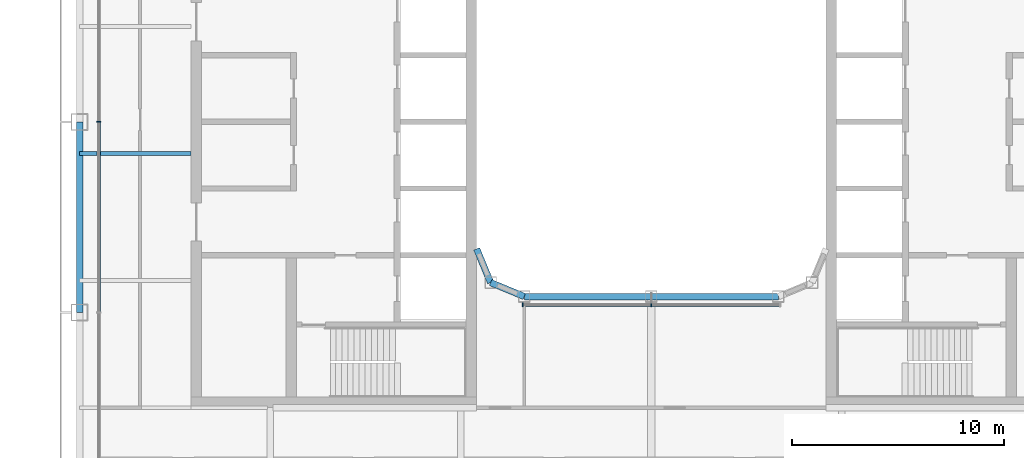
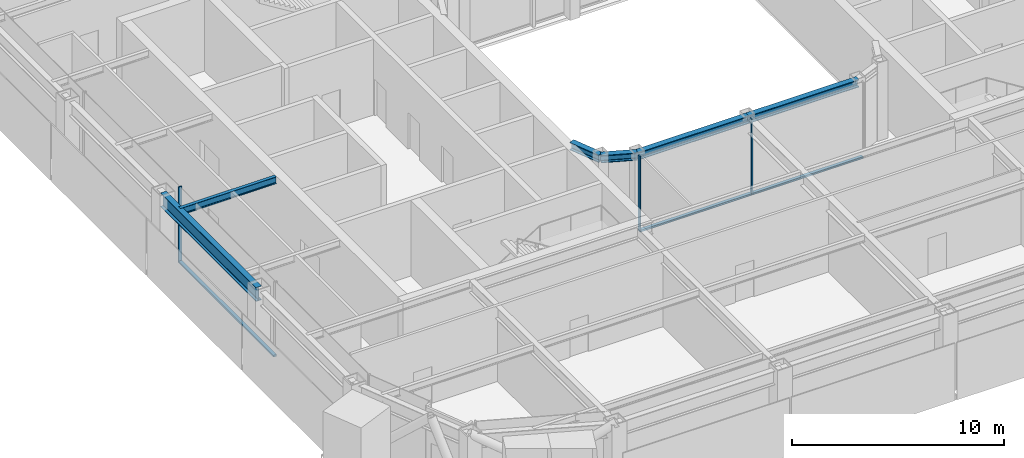
# One storey, part 3 of 23: 6 beams, 6 members, 2 elements without a shape of their own.
"""IFC4 building model written with IfcOpenShell, lengths in metres."""

from ifc_helpers import new_model, si_unit, direction, frame, origin, origin_2d, place, context, subcontext, project, spatial, rectangle, i_section, extrude, material, layer, layer_set, material_profile, profile_set, type_object, element, aggregate, save


model = new_model("IFC4")

# Units and contexts
model_context = context("Model", 3, precision=1e-05, world=origin(), true_north=direction((0.0, 1.0)))
body_context = subcontext(model_context, "Body", "Model", "MODEL_VIEW")
ifc_project = project(units=[si_unit("LENGTHUNIT", "METRE"), si_unit("AREAUNIT", "SQUARE_METRE"), si_unit("VOLUMEUNIT", "CUBIC_METRE"), si_unit("PLANEANGLEUNIT", "RADIAN"), si_unit("MASSUNIT", "GRAM", prefix="KILO")], contexts=[model_context])

# Site, building, storey
site_placement = place(None, origin())
site = spatial("IfcSite", under=ifc_project, at=site_placement, CompositionType="ELEMENT")
building_placement = place(site_placement, origin())
building = spatial("IfcBuilding", under=site, at=building_placement, Name="Siwar Civic Tower", CompositionType="ELEMENT")
storey_placement = place(building_placement, frame((0.0, 0.0, 251.199951171875)))
storey = spatial("IfcBuildingStorey", under=building, at=storey_placement, Name="L54", CompositionType="ELEMENT", Elevation=251.199951171875)

# Curtain wall, member
ifc_material_1 = material(Name="Aluminium and glass", Category="aluminium")
ifc_layer_1 = layer(ifc_material_1, 0.179931640625)
ifc_layer_set_1 = layer_set([ifc_layer_1], Name="Aluminium and glass")
curtain_wall_type_1 = type_object("IfcCurtainWallType", Name="ENV-CW-C", PredefinedType="NOTDEFINED", material=ifc_layer_set_1)
curtain_wall_1_placement = place(storey_placement, origin())
curtain_wall_1 = element("IfcCurtainWall", 1, at=curtain_wall_1_placement, inside=storey, type_object=curtain_wall_type_1, Name="Curtain wall C W", PredefinedType="NOTDEFINED")
ifc_material_2 = material(Name="Aluminium 6063-T6", Category="aluminium")
ifc_material_profile_1 = material_profile(ifc_material_2, rectangle(XDim=0.179931640625, YDim=0.06005859375, at=origin_2d()), Name="AL 180x60")
ifc_profile_set_1 = profile_set([ifc_material_profile_1], Name="Aluminium 6063-T6")
member_type_1 = type_object("IfcMemberType", Name="ENV-MULLION-C", PredefinedType="MULLION", material=ifc_profile_set_1)
member_1_placement = place(storey_placement, frame((-26.10009765625, 0.0, 0.0), z_axis=(0.0, 0.0, 1.0), x_axis=(1.0, 0.0, 0.0)))
member_1 = element("IfcMember", 2, at=member_1_placement, type_object=member_type_1, Name="Mullion C W 3", PredefinedType="MULLION", context=body_context, shape_type="SweptSolid", body=[
    extrude(rectangle(XDim=0.179931640625, YDim=0.06005859375, at=origin_2d()), origin(), (0.0, 0.0, 1.0), 4.35009765625),
])

# Curtain wall, members
ifc_material_3 = material(Name="Aluminium and glass", Category="aluminium")
ifc_layer_2 = layer(ifc_material_3, 0.179931640625)
ifc_layer_set_2 = layer_set([ifc_layer_2], Name="Aluminium and glass")
curtain_wall_type_2 = type_object("IfcCurtainWallType", Name="ENV-CW-W", PredefinedType="NOTDEFINED", material=ifc_layer_set_2)
curtain_wall_2_placement = place(storey_placement, origin())
curtain_wall_2 = element("IfcCurtainWall", 3, at=curtain_wall_2_placement, inside=storey, type_object=curtain_wall_type_2, Name="Curtain wall W WS", PredefinedType="NOTDEFINED")
ifc_material_4 = material(Name="Aluminium 6063-T6", Category="aluminium")
ifc_material_profile_2 = material_profile(ifc_material_4, rectangle(XDim=0.179931640625, YDim=0.06005859375, at=origin_2d()), Name="AL 180x60")
ifc_profile_set_2 = profile_set([ifc_material_profile_2], Name="Aluminium 6063-T6")
member_type_2 = type_object("IfcMemberType", Name="ENV-MULLION-W", PredefinedType="MULLION", material=ifc_profile_set_2)
member_2_placement = place(storey_placement, frame((-6.07666015625, -8.635009765625, 0.0), z_axis=(0.0, 0.0, 1.0), x_axis=(0.0, 1.0, 0.0)))
member_2 = element("IfcMember", 4, at=member_2_placement, type_object=member_type_2, Name="Mullion W WS 1", PredefinedType="MULLION", context=body_context, shape_type="SweptSolid", body=[
    extrude(rectangle(XDim=0.179931640625, YDim=0.06005859375, at=origin_2d()), origin(), (0.0, 0.0, 1.0), 4.35009765625),
])
member_3_placement = place(storey_placement, frame((0.0, -8.635009765625, 0.0), z_axis=(0.0, 0.0, 1.0), x_axis=(0.0, 1.0, 0.0)))
member_3 = element("IfcMember", 5, at=member_3_placement, type_object=member_type_2, Name="Mullion W WS 2", PredefinedType="MULLION", context=body_context, shape_type="SweptSolid", body=[
    extrude(rectangle(XDim=0.179931640625, YDim=0.06005859375, at=origin_2d()), origin(), (0.0, 0.0, 1.0), 4.35009765625),
])

# Member
ifc_material_5 = material(Name="Aluminium 6063-T6", Category="aluminium")
ifc_material_profile_3 = material_profile(ifc_material_5, rectangle(XDim=0.179931640625, YDim=0.10009765625, at=origin_2d()), Name="AL 180x100")
ifc_profile_set_3 = profile_set([ifc_material_profile_3], Name="Aluminium 6063-T6")
member_type_3 = type_object("IfcMemberType", Name="ENV-TRANSOM-C", PredefinedType="USERDEFINED", material=ifc_profile_set_3)
member_4_placement = place(storey_placement, frame((-26.10009765625, -0.030029296875, 0.050048828125), z_axis=(0.0, -1.0, 0.0), x_axis=(1.0, 0.0, 0.0)))
member_4 = element("IfcMember", 6, at=member_4_placement, type_object=member_type_3, Name="Transom C W 3", ObjectType="TRANSOM", PredefinedType="USERDEFINED", context=body_context, shape_type="SweptSolid", body=[
    extrude(rectangle(XDim=0.179931640625, YDim=0.10009765625, at=origin_2d()), origin(), (0.0, 0.0, 1.0), 8.93994140625),
])

aggregate(curtain_wall_1, [member_1, member_4])

ifc_material_6 = material(Name="Aluminium 6063-T6", Category="aluminium")
ifc_material_profile_4 = material_profile(ifc_material_6, rectangle(XDim=0.179931640625, YDim=0.10009765625, at=origin_2d()), Name="AL 180x100")
ifc_profile_set_4 = profile_set([ifc_material_profile_4], Name="Aluminium 6063-T6")
member_type_4 = type_object("IfcMemberType", Name="ENV-TRANSOM-W", PredefinedType="USERDEFINED", material=ifc_profile_set_4)
member_5_placement = place(storey_placement, frame((-6.046630859375, -8.635009765625, 0.050048828125), z_axis=(1.0, 0.0, 0.0), x_axis=(0.0, 1.0, 0.0)))
member_5 = element("IfcMember", 7, at=member_5_placement, type_object=member_type_4, Name="Transom W WS 1", ObjectType="TRANSOM", PredefinedType="USERDEFINED", context=body_context, shape_type="SweptSolid", body=[
    extrude(rectangle(XDim=0.179931640625, YDim=0.10009765625, at=origin_2d()), origin(), (0.0, 0.0, 1.0), 6.0166015625),
])

member_6_placement = place(storey_placement, frame((0.030029296875, -8.635009765625, 0.050048828125), z_axis=(1.0, 0.0, 0.0), x_axis=(0.0, 1.0, 0.0)))
member_6 = element("IfcMember", 8, at=member_6_placement, type_object=member_type_4, Name="Transom W WS 2", ObjectType="TRANSOM", PredefinedType="USERDEFINED", context=body_context, shape_type="SweptSolid", body=[
    extrude(rectangle(XDim=0.179931640625, YDim=0.10009765625, at=origin_2d()), origin(), (0.0, 0.0, 1.0), 6.0166015625),
])

aggregate(curtain_wall_2, [member_2, member_3, member_5, member_6])

# Beams
ifc_material_7 = material(Name="Steel S355", Category="steel")
ifc_material_profile_5 = material_profile(ifc_material_7, i_section(OverallWidth=0.179931640625, OverallDepth=0.39990234375, WebThickness=0.008544921875, FlangeThickness=0.013427734375, FilletRadius=0.02099609375, at=origin_2d()), Name="IPE400")
ifc_profile_set_5 = profile_set([ifc_material_profile_5], Name="Steel S355")
beam_type_1 = type_object("IfcBeamType", Name="STR-FB-IPE400", PredefinedType="JOIST", material=ifc_profile_set_5)
beam_1_placement = place(storey_placement, frame((-27.0, -1.5, 4.150146484375), z_axis=(1.0, 0.0, 0.0), x_axis=(0.0, 1.0, 0.0)))
element("IfcBeam", 9, at=beam_1_placement, inside=storey, type_object=beam_type_1, Name="L54/bm/F023", PredefinedType="JOIST", context=body_context, shape_type="SweptSolid", body=[
    extrude(i_section(OverallWidth=0.179931640625, OverallDepth=0.39990234375, WebThickness=0.008544921875, FlangeThickness=0.013427734375, FilletRadius=0.02099609375, at=origin_2d()), origin(), (0.0, 0.0, 1.0), 5.25),
])
ifc_material_8 = material(Name="Steel S355", Category="steel")
ifc_material_profile_6 = material_profile(ifc_material_8, i_section(OverallWidth=0.306884765625, OverallDepth=0.431884765625, WebThickness=0.02099609375, FlangeThickness=0.0400390625, FilletRadius=0.027099609375, at=origin_2d()), Name="HEM400")
ifc_profile_set_6 = profile_set([ifc_material_profile_6], Name="Steel S355")
beam_type_2 = type_object("IfcBeamType", Name="STR-RB-HEM400", PredefinedType="BEAM", material=ifc_profile_set_6)
beam_2_placement = place(storey_placement, frame((-7.591064453125, -7.591064453125, 4.134033203125), z_axis=(0.923901072997, -0.382631424892, 0.0), x_axis=(0.382631424892, 0.923901072997, 0.0)))
element("IfcBeam", 10, at=beam_2_placement, inside=storey, type_object=beam_type_2, Name="L54/bm/RS0", PredefinedType="BEAM", context=body_context, shape_type="SweptSolid", body=[
    extrude(i_section(OverallWidth=0.306884765625, OverallDepth=0.431884765625, WebThickness=0.02099609375, FlangeThickness=0.0400390625, FilletRadius=0.027099609375, at=origin_2d()), origin(), (0.0, 0.0, 1.0), 1.72216796875),
])
for number, where, z_axis, x_axis, name in (
    (11, (-6.0, -8.25, 4.134033203125), (1.0, 0.0, 0.0), (0.0, 1.0, 0.0), "L54/bm/RS1"),
    (12, (0.0, -8.25, 4.134033203125), (1.0, 0.0, 0.0), (0.0, 1.0, 0.0), "L54/bm/RS2"),
):
    element("IfcBeam", number, at=place(storey_placement, frame(where, z_axis=z_axis, x_axis=x_axis)), inside=storey, type_object=beam_type_2, Name=name, PredefinedType="BEAM", context=body_context, shape_type="SweptSolid", body=[
        extrude(i_section(OverallWidth=0.306884765625, OverallDepth=0.431884765625, WebThickness=0.02099609375, FlangeThickness=0.0400390625, FilletRadius=0.027099609375, at=origin_2d()), origin(), (0.0, 0.0, 1.0), 6.0),
    ])
beam_3_placement = place(storey_placement, frame((-7.591064453125, -7.591064453125, 4.134033203125), z_axis=(-0.382631424892, 0.923901072997, 0.0), x_axis=(-0.923901072997, -0.382631424892, 0.0)))
element("IfcBeam", 13, at=beam_3_placement, inside=storey, type_object=beam_type_2, Name="L54/bm/RSEW", PredefinedType="BEAM", context=body_context, shape_type="SweptSolid", body=[
    extrude(i_section(OverallWidth=0.306884765625, OverallDepth=0.431884765625, WebThickness=0.02099609375, FlangeThickness=0.0400390625, FilletRadius=0.027099609375, at=origin_2d()), origin(), (0.0, 0.0, 1.0), 1.72216796875),
])
ifc_material_9 = material(Name="Steel S355", Category="steel")
ifc_material_profile_7 = material_profile(ifc_material_9, i_section(OverallWidth=0.300048828125, OverallDepth=0.800048828125, WebThickness=0.017578125, FlangeThickness=0.032958984375, FilletRadius=0.030029296875, at=origin_2d()), Name="HEB800")
ifc_profile_set_7 = profile_set([ifc_material_profile_7], Name="Steel S355")
beam_type_3 = type_object("IfcBeamType", Name="STR-SB-HEB800", PredefinedType="BEAM", material=ifc_profile_set_7)
beam_4_placement = place(storey_placement, frame((-27.0, 0.0, 3.949951171875), z_axis=(0.0, -1.0, 0.0), x_axis=(1.0, 0.0, 0.0)))
element("IfcBeam", 14, at=beam_4_placement, inside=storey, type_object=beam_type_3, Name="L54/bm/SW-2", PredefinedType="BEAM", context=body_context, shape_type="SweptSolid", body=[
    extrude(i_section(OverallWidth=0.300048828125, OverallDepth=0.800048828125, WebThickness=0.017578125, FlangeThickness=0.032958984375, FilletRadius=0.030029296875, at=origin_2d()), origin(), (0.0, 0.0, 1.0), 9.0),
])

save(model, "model.ifc")
